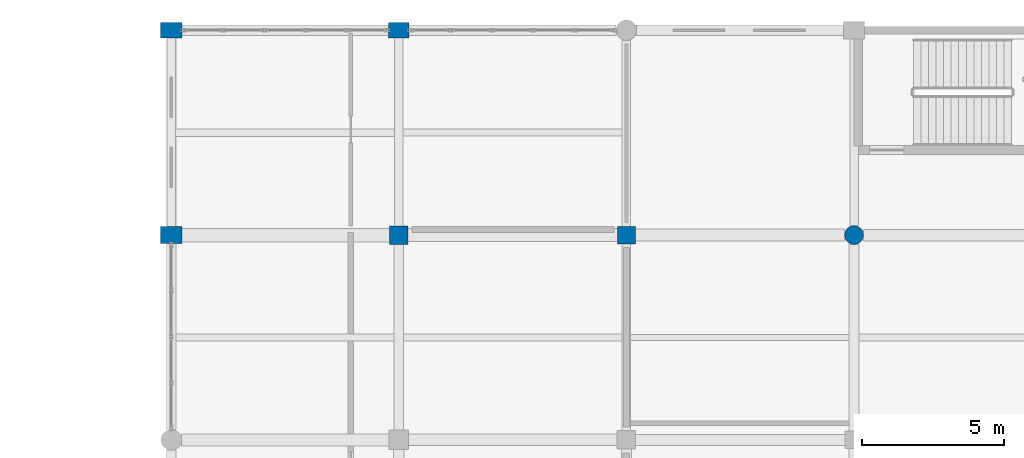
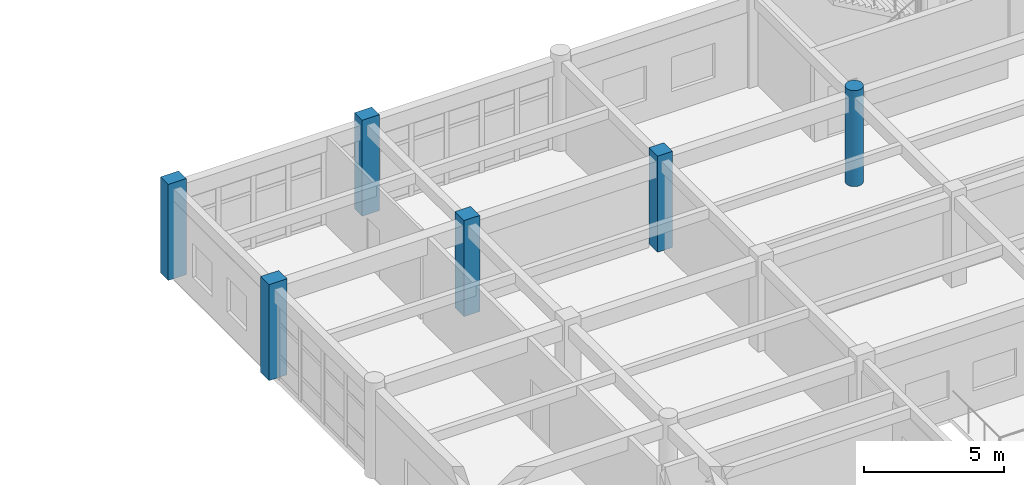
# One storey, part 15 of 195: 6 columns.
"""IFC4 building model written with IfcOpenShell, lengths in metres."""

from ifc_helpers import new_model, si_unit, direction, frame, origin, origin_2d, place, context, subcontext, project, spatial, rectangle, circle, extrude, material, material_profile, profile_set, type_object, element, save


model = new_model("IFC4")

# Units and contexts
model_context = context("Model", 3, precision=1e-05, world=origin(), true_north=direction((0.0, 1.0)))
body_context = subcontext(model_context, "Body", "Model", "MODEL_VIEW")
ifc_project = project(units=[si_unit("LENGTHUNIT", "METRE"), si_unit("AREAUNIT", "SQUARE_METRE"), si_unit("VOLUMEUNIT", "CUBIC_METRE"), si_unit("PLANEANGLEUNIT", "RADIAN"), si_unit("MASSUNIT", "GRAM", prefix="KILO")], contexts=[model_context])

# Site, building, storey
site_placement = place(None, origin())
site = spatial("IfcSite", under=ifc_project, at=site_placement, CompositionType="ELEMENT")
building_placement = place(site_placement, origin())
building = spatial("IfcBuilding", under=site, at=building_placement, Name="Kharva Crest Polytechnic", CompositionType="ELEMENT")
storey_placement = place(building_placement, frame((0.0, 0.0, 9.0)))
storey = spatial("IfcBuildingStorey", under=building, at=storey_placement, Name="L02", CompositionType="ELEMENT", Elevation=9.0)

# Columns
ifc_material = material(Name="Concrete C40/50", Category="concrete")
ifc_material_profile_1 = material_profile(ifc_material, rectangle(XDim=0.719970703125, YDim=0.550048828125, at=origin_2d()), Name="RECT 720 X 550")
ifc_profile_set_1 = profile_set([ifc_material_profile_1], Name="Concrete C40/50")
column_type_1 = type_object("IfcColumnType", Name="COL-EXT-720X550", PredefinedType="COLUMN", material=ifc_profile_set_1)
column_1_placement = place(storey_placement, frame((40.0, 122.0, 0.0), z_axis=(0.0, 0.0, 1.0), x_axis=(1.0, 0.0, 0.0)))
element("IfcColumn", 1, at=column_1_placement, inside=storey, type_object=column_type_1, Name="L02 Column 6/S", PredefinedType="COLUMN", context=body_context, shape_type="SweptSolid", body=[
    extrude(rectangle(XDim=0.719970703125, YDim=0.550048828125, at=origin_2d()), origin(), (0.0, 0.0, 1.0), 4.199951171875),
])
ifc_material_profile_2 = material_profile(ifc_material, rectangle(XDim=0.75, YDim=0.550048828125, at=origin_2d()), Name="RECT 750 X 550")
ifc_profile_set_2 = profile_set([ifc_material_profile_2], Name="Concrete C40/50")
column_type_2 = type_object("IfcColumnType", Name="COL-EXT-750X550", PredefinedType="COLUMN", material=ifc_profile_set_2)
column_2_placement = place(storey_placement, frame((32.0, 122.0, 0.0), z_axis=(0.0, 0.0, 1.0), x_axis=(1.0, 0.0, 0.0)))
element("IfcColumn", 2, at=column_2_placement, inside=storey, type_object=column_type_2, Name="L02 Column 5/S", PredefinedType="COLUMN", context=body_context, shape_type="SweptSolid", body=[
    extrude(rectangle(XDim=0.75, YDim=0.550048828125, at=origin_2d()), origin(), (0.0, 0.0, 1.0), 4.199951171875),
])
ifc_material_profile_3 = material_profile(ifc_material, rectangle(XDim=0.75, YDim=0.60009765625, at=origin_2d()), Name="RECT 750 X 600")
ifc_profile_set_3 = profile_set([ifc_material_profile_3], Name="Concrete C40/50")
column_type_3 = type_object("IfcColumnType", Name="COL-EXT-750X600", PredefinedType="COLUMN", material=ifc_profile_set_3)
column_3_placement = place(storey_placement, frame((32.0, 114.800048828125, 0.0), z_axis=(0.0, 0.0, 1.0), x_axis=(1.0, 0.0, 0.0)))
element("IfcColumn", 3, at=column_3_placement, inside=storey, type_object=column_type_3, Name="L02 Column 5/R", PredefinedType="COLUMN", context=body_context, shape_type="SweptSolid", body=[
    extrude(rectangle(XDim=0.75, YDim=0.60009765625, at=origin_2d()), origin(), (0.0, 0.0, 1.0), 4.199951171875),
])
ifc_material_profile_4 = material_profile(ifc_material, rectangle(XDim=0.6201171875, YDim=0.6201171875, at=origin_2d()), Name="RECT 620 X 620")
ifc_profile_set_4 = profile_set([ifc_material_profile_4], Name="Concrete C40/50")
column_type_4 = type_object("IfcColumnType", Name="COL-INT-620X620", PredefinedType="COLUMN", material=ifc_profile_set_4)
column_4_placement = place(storey_placement, frame((48.0, 114.800048828125, 0.0), z_axis=(0.0, 0.0, 1.0), x_axis=(1.0, 0.0, 0.0)))
element("IfcColumn", 4, at=column_4_placement, inside=storey, type_object=column_type_4, Name="L02 Column 7/R", PredefinedType="COLUMN", context=body_context, shape_type="SweptSolid", body=[
    extrude(rectangle(XDim=0.6201171875, YDim=0.6201171875, at=origin_2d()), origin(), (0.0, 0.0, 1.0), 4.199951171875),
])
ifc_material_profile_5 = material_profile(ifc_material, rectangle(XDim=0.64990234375, YDim=0.64990234375, at=origin_2d()), Name="RECT 650 X 650")
ifc_profile_set_5 = profile_set([ifc_material_profile_5], Name="Concrete C40/50")
column_type_5 = type_object("IfcColumnType", Name="COL-INT-650X650", PredefinedType="COLUMN", material=ifc_profile_set_5)
column_5_placement = place(storey_placement, frame((40.0, 114.800048828125, 0.0), z_axis=(0.0, 0.0, 1.0), x_axis=(1.0, 0.0, 0.0)))
element("IfcColumn", 5, at=column_5_placement, inside=storey, type_object=column_type_5, Name="L02 Column 6/R", PredefinedType="COLUMN", context=body_context, shape_type="SweptSolid", body=[
    extrude(rectangle(XDim=0.64990234375, YDim=0.64990234375, at=origin_2d()), origin(), (0.0, 0.0, 1.0), 4.199951171875),
])
ifc_material_profile_6 = material_profile(ifc_material, circle(Radius=0.330078125, at=origin_2d()), Name="DIA 660")
ifc_profile_set_6 = profile_set([ifc_material_profile_6], Name="Concrete C40/50")
column_type_6 = type_object("IfcColumnType", Name="COL-INT-DIA660", PredefinedType="COLUMN", material=ifc_profile_set_6)
column_6_placement = place(storey_placement, frame((56.0, 114.800048828125, 0.0), z_axis=(0.0, 0.0, 1.0), x_axis=(1.0, 0.0, 0.0)))
element("IfcColumn", 6, at=column_6_placement, inside=storey, type_object=column_type_6, Name="L02 Column 8/R", PredefinedType="COLUMN", context=body_context, shape_type="SweptSolid", body=[
    extrude(circle(Radius=0.330078125, at=origin_2d()), origin(), (0.0, 0.0, 1.0), 4.199951171875),
])

save(model, "model.ifc")
